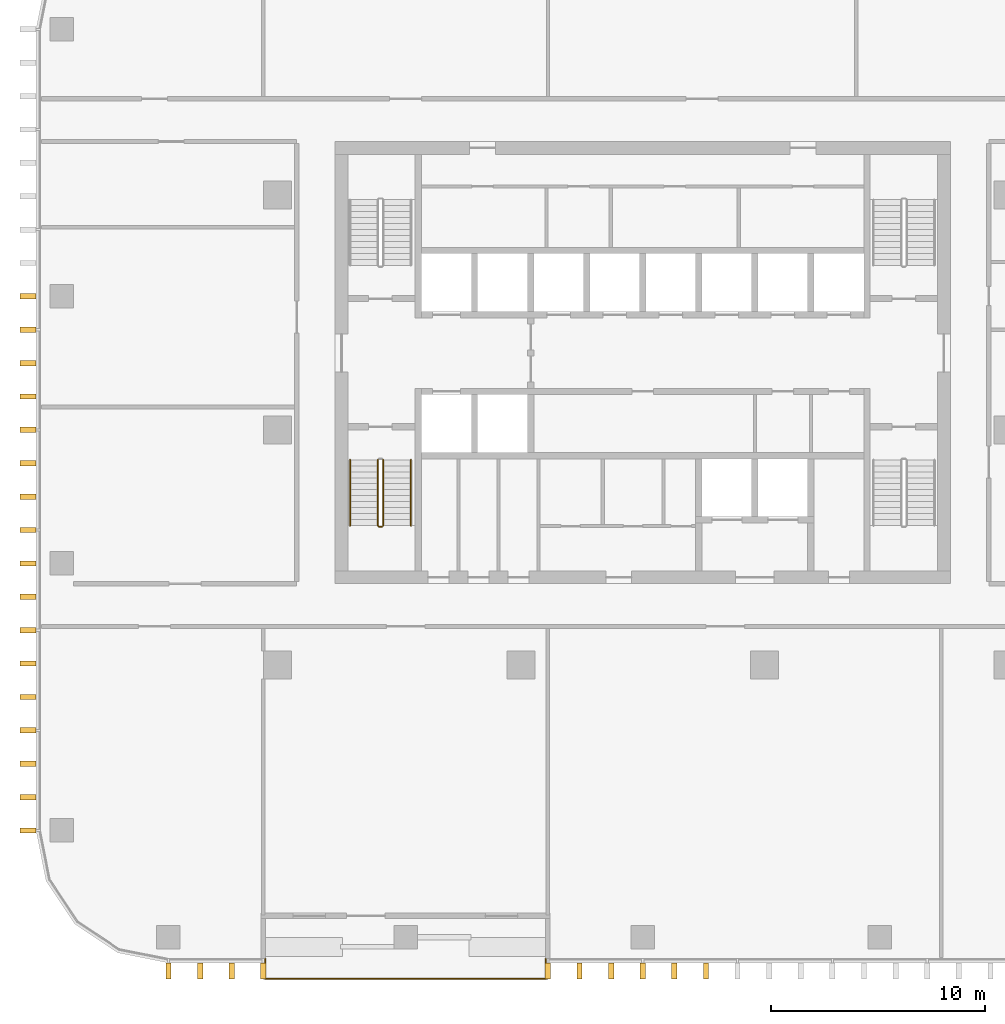
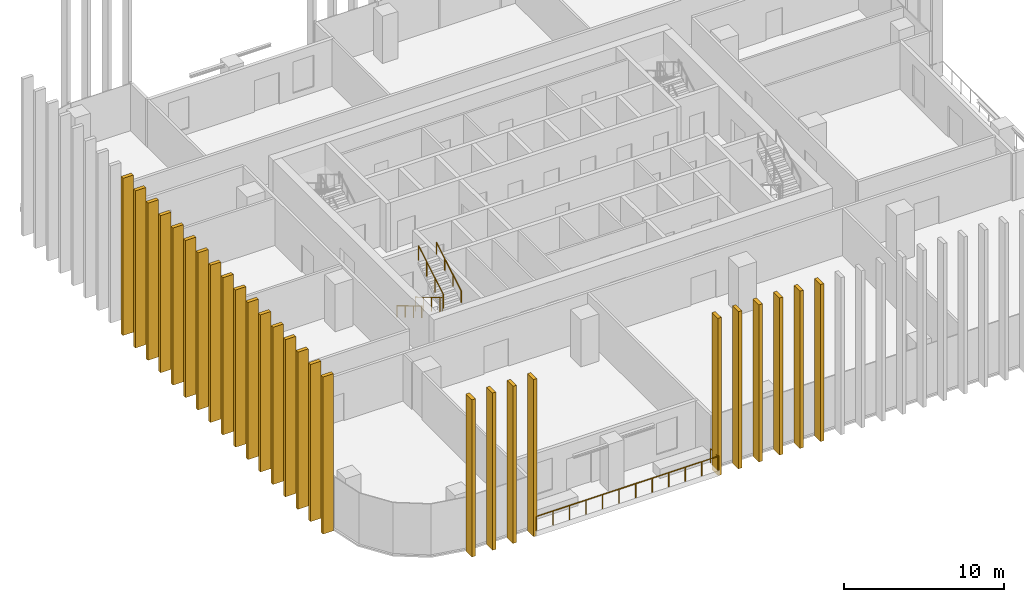
# One storey, part 11 of 15: 27 shading devices, 5 railings.
"""IFC4 building model written with IfcOpenShell, lengths in metres."""

from ifc_helpers import new_model, si_unit, direction, frame, origin, origin_2d, place, context, subcontext, project, spatial, rectangle, circle, extrude, material, type_object, element, save


model = new_model("IFC4")

# Units and contexts
model_context = context("Model", 3, precision=1e-05, world=origin(), true_north=direction((0.0, 1.0)))
body_context = subcontext(model_context, "Body", "Model", "MODEL_VIEW")
ifc_project = project(units=[si_unit("LENGTHUNIT", "METRE"), si_unit("AREAUNIT", "SQUARE_METRE"), si_unit("VOLUMEUNIT", "CUBIC_METRE"), si_unit("PLANEANGLEUNIT", "RADIAN"), si_unit("MASSUNIT", "GRAM", prefix="KILO")], contexts=[model_context])

# Site, building, storey
site_placement = place(None, origin())
site = spatial("IfcSite", under=ifc_project, at=site_placement, CompositionType="ELEMENT")
building_placement = place(site_placement, origin())
building = spatial("IfcBuilding", under=site, at=building_placement, Name="Mopane Tessera Tower", CompositionType="ELEMENT")
storey_placement = place(building_placement, frame((0.0, 0.0, 223.0)))
storey = spatial("IfcBuildingStorey", under=building, at=storey_placement, Name="L47", CompositionType="ELEMENT", Elevation=223.0)

# Shading devices
ifc_material_1 = material(Name="Glazed ceramic tile")
shading_device_type = type_object("IfcShadingDeviceType", Name="Ceramic tile fin 750 x 250 mm", PredefinedType="USERDEFINED", material=ifc_material_1)
for number, where, z_axis, x_axis, name in (
    (1, (-22.199951171875, -25.324951171875, -0.39990234375), (0.0, 0.0, 1.0), (1.0, 0.0, 0.0), "e:fin:L47:S:0:0"),
    (2, (-20.719970703125, -25.324951171875, -0.39990234375), (0.0, 0.0, 1.0), (1.0, 0.0, 0.0), "e:fin:L47:S:0:1"),
    (3, (-19.239990234375, -25.324951171875, -0.39990234375), (0.0, 0.0, 1.0), (1.0, 0.0, 0.0), "e:fin:L47:S:0:2"),
    (4, (-17.760009765625, -25.324951171875, -0.39990234375), (0.0, 0.0, 1.0), (1.0, 0.0, 0.0), "e:fin:L47:S:0:3"),
    (5, (-4.43994140625, -25.324951171875, -0.39990234375), (0.0, 0.0, 1.0), (1.0, 0.0, 0.0), "e:fin:L47:S:4:0"),
    (6, (-2.9599609375, -25.324951171875, -0.39990234375), (0.0, 0.0, 1.0), (1.0, 0.0, 0.0), "e:fin:L47:S:4:1"),
    (7, (-1.47998046875, -25.324951171875, -0.39990234375), (0.0, 0.0, 1.0), (1.0, 0.0, 0.0), "e:fin:L47:S:4:2"),
    (8, (0.0, -25.324951171875, -0.39990234375), (0.0, 0.0, 1.0), (1.0, 0.0, 0.0), "e:fin:L47:S:5:0"),
    (9, (1.47998046875, -25.324951171875, -0.39990234375), (0.0, 0.0, 1.0), (1.0, 0.0, 0.0), "e:fin:L47:S:5:1"),
    (10, (2.9599609375, -25.324951171875, -0.39990234375), (0.0, 0.0, 1.0), (1.0, 0.0, 0.0), "e:fin:L47:S:5:2"),
    (11, (-28.77490234375, 6.25, -0.39990234375), (0.0, 0.0, 1.0), (0.0, -1.0, 0.0), "e:fin:L47:W:2:2"),
    (12, (-28.77490234375, 4.6875, -0.39990234375), (0.0, 0.0, 1.0), (0.0, -1.0, 0.0), "e:fin:L47:W:3:0"),
    (13, (-28.77490234375, 3.125, -0.39990234375), (0.0, 0.0, 1.0), (0.0, -1.0, 0.0), "e:fin:L47:W:3:1"),
    (14, (-28.77490234375, 1.5625, -0.39990234375), (0.0, 0.0, 1.0), (0.0, -1.0, 0.0), "e:fin:L47:W:3:2"),
    (15, (-28.77490234375, 0.0, -0.39990234375), (0.0, 0.0, 1.0), (0.0, -1.0, 0.0), "e:fin:L47:W:4:0"),
    (16, (-28.77490234375, -1.5625, -0.39990234375), (0.0, 0.0, 1.0), (0.0, -1.0, 0.0), "e:fin:L47:W:4:1"),
    (17, (-28.77490234375, -3.125, -0.39990234375), (0.0, 0.0, 1.0), (0.0, -1.0, 0.0), "e:fin:L47:W:4:2"),
    (18, (-28.77490234375, -4.6875, -0.39990234375), (0.0, 0.0, 1.0), (0.0, -1.0, 0.0), "e:fin:L47:W:5:0"),
    (19, (-28.77490234375, -6.25, -0.39990234375), (0.0, 0.0, 1.0), (0.0, -1.0, 0.0), "e:fin:L47:W:5:1"),
    (20, (-28.77490234375, -7.8125, -0.39990234375), (0.0, 0.0, 1.0), (0.0, -1.0, 0.0), "e:fin:L47:W:5:2"),
    (21, (-28.77490234375, -9.375, -0.39990234375), (0.0, 0.0, 1.0), (0.0, -1.0, 0.0), "e:fin:L47:W:6:0"),
    (22, (-28.77490234375, -10.9375, -0.39990234375), (0.0, 0.0, 1.0), (0.0, -1.0, 0.0), "e:fin:L47:W:6:1"),
    (23, (-28.77490234375, -12.5, -0.39990234375), (0.0, 0.0, 1.0), (0.0, -1.0, 0.0), "e:fin:L47:W:6:2"),
    (24, (-28.77490234375, -14.0625, -0.39990234375), (0.0, 0.0, 1.0), (0.0, -1.0, 0.0), "e:fin:L47:W:7:0"),
    (25, (-28.77490234375, -15.625, -0.39990234375), (0.0, 0.0, 1.0), (0.0, -1.0, 0.0), "e:fin:L47:W:7:1"),
    (26, (-28.77490234375, -17.1875, -0.39990234375), (0.0, 0.0, 1.0), (0.0, -1.0, 0.0), "e:fin:L47:W:7:2"),
    (27, (-28.77490234375, -18.75, -0.39990234375), (0.0, 0.0, 1.0), (0.0, -1.0, 0.0), "e:fin:L47:W:7:3"),
):
    element("IfcShadingDevice", number, at=place(storey_placement, frame(where, z_axis=z_axis, x_axis=x_axis)), inside=storey, type_object=shading_device_type, Name=name, ObjectType="FIN", PredefinedType="USERDEFINED", context=body_context, shape_type="SweptSolid", body=[
        extrude(rectangle(XDim=0.25, YDim=0.75, at=origin_2d()), origin(), (0.0, 0.0, 1.0), 12.0),
    ])

# Railings
ifc_material_2 = material(Name="Powder-coated steel balustrade", Category="steel")
railing_type_1 = type_object("IfcRailingType", Name="Escape stair guard 1100 mm", PredefinedType="GUARDRAIL", material=ifc_material_2)
railing_1_placement = place(storey_placement, frame((-12.39990234375, -1.39990234375, 0.166748046875)))
element("IfcRailing", 28, at=railing_1_placement, inside=storey, type_object=railing_type_1, Name="L47 ST1 stair guard 1", PredefinedType="GUARDRAIL", context=body_context, shape_type="SweptSolid", body=[
    extrude(circle(Radius=0.02392578125, at=origin_2d()), frame((0.0, 0.0, 1.076171875), z_axis=(0.0, -0.859308565015, 0.511457515432), x_axis=(1.0, 0.0, 0.0)), (0.0, 0.0, 1.0), 3.58447265625),
    extrude(circle(Radius=0.02392578125, at=origin_2d()), frame((0.0, -3.080078125, 2.9091796875), z_axis=(0.705375805398, -0.708833529934, 0.0), x_axis=(0.708833529934, 0.705375805398, 0.0)), (0.0, 0.0, 1.0), 0.070556640625),
    extrude(circle(Radius=0.02392578125, at=origin_2d()), frame((0.0498046875, -3.130126953125, 2.9091796875), z_axis=(1.0, 0.0, 0.0), x_axis=(0.0, 1.0, 0.0)), (0.0, 0.0, 1.0), 0.150146484375),
    extrude(circle(Radius=0.02099609375, at=origin_2d()), origin(), (0.0, 0.0, 1.0), 1.052001953125),
    extrude(circle(Radius=0.02099609375, at=origin_2d()), frame((0.0, -1.026611328125, 0.611083984375)), (0.0, 0.0, 1.0), 1.052001953125),
    extrude(circle(Radius=0.02099609375, at=origin_2d()), frame((0.0, -2.053466796875, 1.22216796875)), (0.0, 0.0, 1.0), 1.052001953125),
    extrude(circle(Radius=0.02099609375, at=origin_2d()), frame((0.0, -3.080078125, 1.833251953125)), (0.0, 0.0, 1.0), 1.052001953125),
    extrude(circle(Radius=0.02099609375, at=origin_2d()), frame((0.0498046875, -3.130126953125, 1.833251953125)), (0.0, 0.0, 1.0), 1.052001953125),
    extrude(circle(Radius=0.02099609375, at=origin_2d()), frame((0.199951171875, -3.130126953125, 1.833251953125)), (0.0, 0.0, 1.0), 1.052001953125),
])
railing_2_placement = place(storey_placement, frame((-12.14990234375, -4.47998046875, 2.166748046875)))
element("IfcRailing", 29, at=railing_2_placement, inside=storey, type_object=railing_type_1, Name="L47 ST1 stair guard 2", PredefinedType="GUARDRAIL", context=body_context, shape_type="SweptSolid", body=[
    extrude(circle(Radius=0.02392578125, at=origin_2d()), frame((0.0, 0.0, 1.076171875), z_axis=(0.0, 0.859308565015, 0.511457515432), x_axis=(-1.0, 0.0, 0.0)), (0.0, 0.0, 1.0), 3.58447265625),
    extrude(circle(Radius=0.02099609375, at=origin_2d()), origin(), (0.0, 0.0, 1.0), 1.052001953125),
    extrude(circle(Radius=0.02099609375, at=origin_2d()), frame((0.0, 1.026611328125, 0.611083984375)), (0.0, 0.0, 1.0), 1.052001953125),
    extrude(circle(Radius=0.02099609375, at=origin_2d()), frame((0.0, 2.053466796875, 1.22216796875)), (0.0, 0.0, 1.0), 1.052001953125),
    extrude(circle(Radius=0.02099609375, at=origin_2d()), frame((0.0, 3.080078125, 1.833251953125)), (0.0, 0.0, 1.0), 1.052001953125),
])
ifc_material_3 = material(Name="Powder-coated steel balustrade", Category="steel")
railing_type_2 = type_object("IfcRailingType", Name="Escape stair handrail 900 mm", PredefinedType="HANDRAIL", material=ifc_material_3)
railing_3_placement = place(storey_placement, frame((-13.699951171875, -1.39990234375, 0.166748046875)))
element("IfcRailing", 30, at=railing_3_placement, inside=storey, type_object=railing_type_2, Name="L47 ST1 stair handrail 1", PredefinedType="HANDRAIL", context=body_context, shape_type="SweptSolid", body=[
    extrude(circle(Radius=0.02392578125, at=origin_2d()), frame((0.0, 0.0, 0.8759765625), z_axis=(0.0, -0.859308565015, 0.511457515432), x_axis=(1.0, 0.0, 0.0)), (0.0, 0.0, 1.0), 3.58447265625),
    extrude(circle(Radius=0.02099609375, at=origin_2d()), origin(), (0.0, 0.0, 1.0), 0.851806640625),
    extrude(circle(Radius=0.02099609375, at=origin_2d()), frame((0.0, -1.026611328125, 0.611083984375)), (0.0, 0.0, 1.0), 0.851806640625),
    extrude(circle(Radius=0.02099609375, at=origin_2d()), frame((0.0, -2.053466796875, 1.22216796875)), (0.0, 0.0, 1.0), 0.851806640625),
    extrude(circle(Radius=0.02099609375, at=origin_2d()), frame((0.0, -3.080078125, 1.833251953125)), (0.0, 0.0, 1.0), 0.851806640625),
])
railing_4_placement = place(storey_placement, frame((-10.85009765625, -4.47998046875, 2.166748046875)))
element("IfcRailing", 31, at=railing_4_placement, inside=storey, type_object=railing_type_2, Name="L47 ST1 stair handrail 2", PredefinedType="HANDRAIL", context=body_context, shape_type="SweptSolid", body=[
    extrude(circle(Radius=0.02392578125, at=origin_2d()), frame((0.0, 0.0, 0.8759765625), z_axis=(0.0, 0.859308565015, 0.511457515432), x_axis=(-1.0, 0.0, 0.0)), (0.0, 0.0, 1.0), 3.58447265625),
    extrude(circle(Radius=0.02099609375, at=origin_2d()), origin(), (0.0, 0.0, 1.0), 0.851806640625),
    extrude(circle(Radius=0.02099609375, at=origin_2d()), frame((0.0, 1.026611328125, 0.611083984375)), (0.0, 0.0, 1.0), 0.851806640625),
    extrude(circle(Radius=0.02099609375, at=origin_2d()), frame((0.0, 2.053466796875, 1.22216796875)), (0.0, 0.0, 1.0), 0.851806640625),
    extrude(circle(Radius=0.02099609375, at=origin_2d()), frame((0.0, 3.080078125, 1.833251953125)), (0.0, 0.0, 1.0), 0.851806640625),
])
ifc_material_4 = material(Name="Stainless steel S316", Category="steel")
railing_type_3 = type_object("IfcRailingType", Name="Terrace guard 1100", PredefinedType="GUARDRAIL", material=ifc_material_4)
railing_5_placement = place(storey_placement, frame((-17.659912109375, -24.75, 0.0)))
element("IfcRailing", 32, at=railing_5_placement, inside=storey, type_object=railing_type_3, Name="e:nw:L47:N1:guard", PredefinedType="GUARDRAIL", context=body_context, shape_type="SweptSolid", body=[
    extrude(circle(Radius=0.02392578125, at=origin_2d()), frame((0.0, 0.0, 1.076171875), z_axis=(0.0, -1.0, 0.0), x_axis=(1.0, 0.0, 0.0)), (0.0, 0.0, 1.0), 0.949951171875),
    extrude(circle(Radius=0.02392578125, at=origin_2d()), frame((0.0, -0.949951171875, 1.076171875), z_axis=(1.0, 0.0, 0.0), x_axis=(0.0, 1.0, 0.0)), (0.0, 0.0, 1.0), 13.119873046875),
    extrude(circle(Radius=0.02392578125, at=origin_2d()), frame((13.119873046875, -0.949951171875, 1.076171875), z_axis=(0.0, 1.0, 0.0), x_axis=(-1.0, 0.0, 0.0)), (0.0, 0.0, 1.0), 0.949951171875),
    extrude(circle(Radius=0.02099609375, at=origin_2d()), origin(), (0.0, 0.0, 1.0), 1.052001953125),
    extrude(circle(Radius=0.02099609375, at=origin_2d()), frame((0.0, -0.949951171875, 0.0)), (0.0, 0.0, 1.0), 1.052001953125),
    extrude(circle(Radius=0.02099609375, at=origin_2d()), frame((1.192626953125, -0.949951171875, 0.0)), (0.0, 0.0, 1.0), 1.052001953125),
    extrude(circle(Radius=0.02099609375, at=origin_2d()), frame((2.385498046875, -0.949951171875, 0.0)), (0.0, 0.0, 1.0), 1.052001953125),
    extrude(circle(Radius=0.02099609375, at=origin_2d()), frame((3.578125, -0.949951171875, 0.0)), (0.0, 0.0, 1.0), 1.052001953125),
    extrude(circle(Radius=0.02099609375, at=origin_2d()), frame((4.770751953125, -0.949951171875, 0.0)), (0.0, 0.0, 1.0), 1.052001953125),
    extrude(circle(Radius=0.02099609375, at=origin_2d()), frame((5.963623046875, -0.949951171875, 0.0)), (0.0, 0.0, 1.0), 1.052001953125),
    extrude(circle(Radius=0.02099609375, at=origin_2d()), frame((7.15625, -0.949951171875, 0.0)), (0.0, 0.0, 1.0), 1.052001953125),
    extrude(circle(Radius=0.02099609375, at=origin_2d()), frame((8.34912109375, -0.949951171875, 0.0)), (0.0, 0.0, 1.0), 1.052001953125),
    extrude(circle(Radius=0.02099609375, at=origin_2d()), frame((9.541748046875, -0.949951171875, 0.0)), (0.0, 0.0, 1.0), 1.052001953125),
    extrude(circle(Radius=0.02099609375, at=origin_2d()), frame((10.734375, -0.949951171875, 0.0)), (0.0, 0.0, 1.0), 1.052001953125),
    extrude(circle(Radius=0.02099609375, at=origin_2d()), frame((11.92724609375, -0.949951171875, 0.0)), (0.0, 0.0, 1.0), 1.052001953125),
    extrude(circle(Radius=0.02099609375, at=origin_2d()), frame((13.119873046875, -0.949951171875, 0.0)), (0.0, 0.0, 1.0), 1.052001953125),
    extrude(circle(Radius=0.02099609375, at=origin_2d()), frame((13.119873046875, 0.0, 0.0)), (0.0, 0.0, 1.0), 1.052001953125),
])

save(model, "model.ifc")
